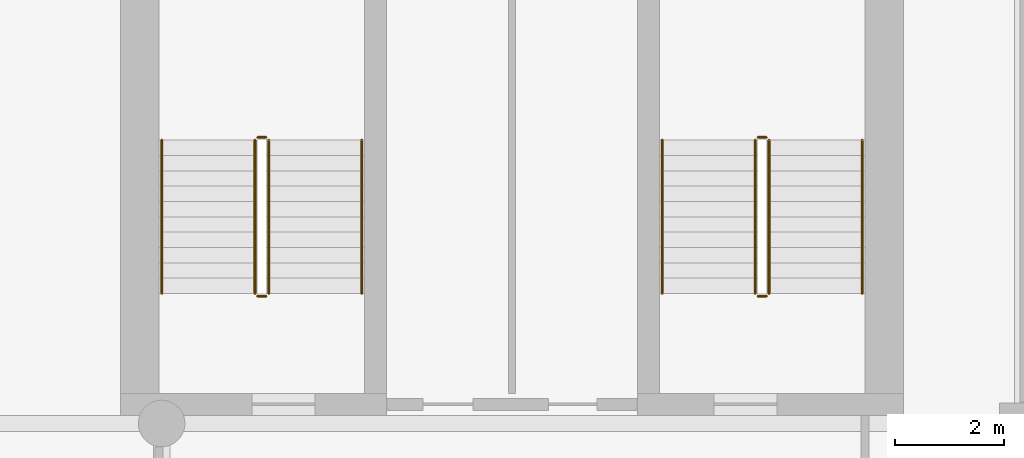
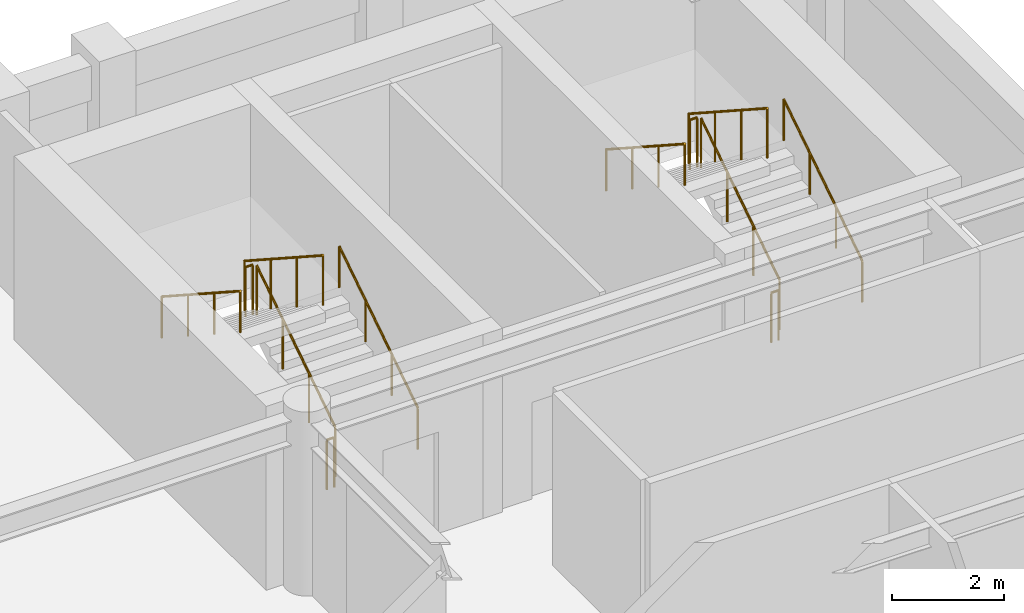
# One storey, part 8 of 8: 12 railings.
"""IFC4 building model written with IfcOpenShell, lengths in metres."""

from ifc_helpers import new_model, si_unit, direction, frame, origin, origin_2d, place, context, subcontext, project, spatial, circle, extrude, material, type_object, element, save


model = new_model("IFC4")

# Units and contexts
model_context = context("Model", 3, precision=1e-05, world=origin(), true_north=direction((0.0, 1.0)))
body_context = subcontext(model_context, "Body", "Model", "MODEL_VIEW")
ifc_project = project(units=[si_unit("LENGTHUNIT", "METRE"), si_unit("AREAUNIT", "SQUARE_METRE"), si_unit("VOLUMEUNIT", "CUBIC_METRE"), si_unit("PLANEANGLEUNIT", "RADIAN"), si_unit("MASSUNIT", "GRAM", prefix="KILO")], contexts=[model_context])

# Site, building, storey
site_placement = place(None, origin())
site = spatial("IfcSite", under=ifc_project, at=site_placement, CompositionType="ELEMENT")
building_placement = place(site_placement, origin())
building = spatial("IfcBuilding", under=site, at=building_placement, Name="Sulina Concourse Tower", CompositionType="ELEMENT")
storey_placement = place(building_placement, frame((0.0, 0.0, 252.60009765625)))
storey = spatial("IfcBuildingStorey", under=building, at=storey_placement, Name="L61", CompositionType="ELEMENT", Elevation=252.60009765625)

# Railings
ifc_material_1 = material(Name="Galvanised steel railing", Category="steel")
railing_type_1 = type_object("IfcRailingType", Name="Core Stair Steel Guardrail 1150mm", PredefinedType="GUARDRAIL", material=ifc_material_1)
railing_1_placement = place(storey_placement, frame((43.554931640625, 36.375, 0.181640625)))
element("IfcRailing", 1, at=railing_1_placement, inside=storey, type_object=railing_type_1, Name="L61 ST-3 stair guard 1", PredefinedType="GUARDRAIL", context=body_context, shape_type="SweptSolid", body=[
    extrude(circle(Radius=0.02392578125, at=origin_2d()), frame((0.0, 0.0, 1.076171875), z_axis=(0.0, 0.838672427954, 0.544636170843), x_axis=(-1.0, 0.0, 0.0)), (0.0, 0.0, 1.0), 3.338623046875),
    extrude(circle(Radius=0.02099609375, at=origin_2d()), origin(), (0.0, 0.0, 1.0), 1.052001953125),
    extrude(circle(Radius=0.02099609375, at=origin_2d()), frame((0.0, 0.933349609375, 0.606201171875)), (0.0, 0.0, 1.0), 1.052001953125),
    extrude(circle(Radius=0.02099609375, at=origin_2d()), frame((0.0, 1.86669921875, 1.212158203125)), (0.0, 0.0, 1.0), 1.052001953125),
    extrude(circle(Radius=0.02099609375, at=origin_2d()), frame((0.0, 2.800048828125, 1.818359375)), (0.0, 0.0, 1.0), 1.052001953125),
])
railing_2_placement = place(storey_placement, frame((43.5048828125, 39.22509765625, 2.0)))
element("IfcRailing", 2, at=railing_2_placement, inside=storey, type_object=railing_type_1, Name="L61 ST-3 stair guard 2", PredefinedType="GUARDRAIL", context=body_context, shape_type="SweptSolid", body=[
    extrude(circle(Radius=0.02392578125, at=origin_2d()), frame((0.0, 0.0, 1.076171875), z_axis=(-1.0, 0.0, 0.0), x_axis=(0.0, -1.0, 0.0)), (0.0, 0.0, 1.0), 0.14990234375),
    extrude(circle(Radius=0.02099609375, at=origin_2d()), origin(), (0.0, 0.0, 1.0), 1.052001953125),
    extrude(circle(Radius=0.02099609375, at=origin_2d()), frame((-0.14990234375, 0.0, 0.0)), (0.0, 0.0, 1.0), 1.052001953125),
])
railing_3_placement = place(storey_placement, frame((43.304931640625, 39.175048828125, 2.181640625)))
element("IfcRailing", 3, at=railing_3_placement, inside=storey, type_object=railing_type_1, Name="L61 ST-3 stair guard 3", PredefinedType="GUARDRAIL", context=body_context, shape_type="SweptSolid", body=[
    extrude(circle(Radius=0.02392578125, at=origin_2d()), frame((0.0, 0.0, 1.076171875), z_axis=(0.0, -0.838672427954, 0.544636170843), x_axis=(1.0, 0.0, 0.0)), (0.0, 0.0, 1.0), 3.338623046875),
    extrude(circle(Radius=0.02099609375, at=origin_2d()), origin(), (0.0, 0.0, 1.0), 1.052001953125),
    extrude(circle(Radius=0.02099609375, at=origin_2d()), frame((0.0, -0.933349609375, 0.606201171875)), (0.0, 0.0, 1.0), 1.052001953125),
    extrude(circle(Radius=0.02099609375, at=origin_2d()), frame((0.0, -1.86669921875, 1.212158203125)), (0.0, 0.0, 1.0), 1.052001953125),
    extrude(circle(Radius=0.02099609375, at=origin_2d()), frame((0.0, -2.800048828125, 1.818359375)), (0.0, 0.0, 1.0), 1.052001953125),
])
railing_4_placement = place(storey_placement, frame((43.5048828125, 36.324951171875, 0.0)))
element("IfcRailing", 4, at=railing_4_placement, inside=storey, type_object=railing_type_1, Name="L61 ST-3 stair guard 4", PredefinedType="GUARDRAIL", context=body_context, shape_type="SweptSolid", body=[
    extrude(circle(Radius=0.02392578125, at=origin_2d()), frame((0.0, 0.0, 1.076171875), z_axis=(-1.0, 0.0, 0.0), x_axis=(0.0, -1.0, 0.0)), (0.0, 0.0, 1.0), 0.14990234375),
    extrude(circle(Radius=0.02099609375, at=origin_2d()), origin(), (0.0, 0.0, 1.0), 1.052001953125),
    extrude(circle(Radius=0.02099609375, at=origin_2d()), frame((-0.14990234375, 0.0, 0.0)), (0.0, 0.0, 1.0), 1.052001953125),
])
railing_5_placement = place(storey_placement, frame((52.695068359375, 36.375, 0.181640625)))
element("IfcRailing", 5, at=railing_5_placement, inside=storey, type_object=railing_type_1, Name="L61 ST-4 stair guard 1", PredefinedType="GUARDRAIL", context=body_context, shape_type="SweptSolid", body=[
    extrude(circle(Radius=0.02392578125, at=origin_2d()), frame((0.0, 0.0, 1.076171875), z_axis=(0.0, 0.838672427954, 0.544636170843), x_axis=(-1.0, 0.0, 0.0)), (0.0, 0.0, 1.0), 3.338623046875),
    extrude(circle(Radius=0.02099609375, at=origin_2d()), origin(), (0.0, 0.0, 1.0), 1.052001953125),
    extrude(circle(Radius=0.02099609375, at=origin_2d()), frame((0.0, 0.933349609375, 0.606201171875)), (0.0, 0.0, 1.0), 1.052001953125),
    extrude(circle(Radius=0.02099609375, at=origin_2d()), frame((0.0, 1.86669921875, 1.212158203125)), (0.0, 0.0, 1.0), 1.052001953125),
    extrude(circle(Radius=0.02099609375, at=origin_2d()), frame((0.0, 2.800048828125, 1.818359375)), (0.0, 0.0, 1.0), 1.052001953125),
])
railing_6_placement = place(storey_placement, frame((52.64501953125, 39.22509765625, 2.0)))
element("IfcRailing", 6, at=railing_6_placement, inside=storey, type_object=railing_type_1, Name="L61 ST-4 stair guard 2", PredefinedType="GUARDRAIL", context=body_context, shape_type="SweptSolid", body=[
    extrude(circle(Radius=0.02392578125, at=origin_2d()), frame((0.0, 0.0, 1.076171875), z_axis=(-1.0, 0.0, 0.0), x_axis=(0.0, -1.0, 0.0)), (0.0, 0.0, 1.0), 0.14990234375),
    extrude(circle(Radius=0.02099609375, at=origin_2d()), origin(), (0.0, 0.0, 1.0), 1.052001953125),
    extrude(circle(Radius=0.02099609375, at=origin_2d()), frame((-0.14990234375, 0.0, 0.0)), (0.0, 0.0, 1.0), 1.052001953125),
])
railing_7_placement = place(storey_placement, frame((52.445068359375, 39.175048828125, 2.181640625)))
element("IfcRailing", 7, at=railing_7_placement, inside=storey, type_object=railing_type_1, Name="L61 ST-4 stair guard 3", PredefinedType="GUARDRAIL", context=body_context, shape_type="SweptSolid", body=[
    extrude(circle(Radius=0.02392578125, at=origin_2d()), frame((0.0, 0.0, 1.076171875), z_axis=(0.0, -0.838672427954, 0.544636170843), x_axis=(1.0, 0.0, 0.0)), (0.0, 0.0, 1.0), 3.338623046875),
    extrude(circle(Radius=0.02099609375, at=origin_2d()), origin(), (0.0, 0.0, 1.0), 1.052001953125),
    extrude(circle(Radius=0.02099609375, at=origin_2d()), frame((0.0, -0.933349609375, 0.606201171875)), (0.0, 0.0, 1.0), 1.052001953125),
    extrude(circle(Radius=0.02099609375, at=origin_2d()), frame((0.0, -1.86669921875, 1.212158203125)), (0.0, 0.0, 1.0), 1.052001953125),
    extrude(circle(Radius=0.02099609375, at=origin_2d()), frame((0.0, -2.800048828125, 1.818359375)), (0.0, 0.0, 1.0), 1.052001953125),
])
railing_8_placement = place(storey_placement, frame((52.64501953125, 36.324951171875, 0.0)))
element("IfcRailing", 8, at=railing_8_placement, inside=storey, type_object=railing_type_1, Name="L61 ST-4 stair guard 4", PredefinedType="GUARDRAIL", context=body_context, shape_type="SweptSolid", body=[
    extrude(circle(Radius=0.02392578125, at=origin_2d()), frame((0.0, 0.0, 1.076171875), z_axis=(-1.0, 0.0, 0.0), x_axis=(0.0, -1.0, 0.0)), (0.0, 0.0, 1.0), 0.14990234375),
    extrude(circle(Radius=0.02099609375, at=origin_2d()), origin(), (0.0, 0.0, 1.0), 1.052001953125),
    extrude(circle(Radius=0.02099609375, at=origin_2d()), frame((-0.14990234375, 0.0, 0.0)), (0.0, 0.0, 1.0), 1.052001953125),
])
ifc_material_2 = material(Name="Galvanised steel railing", Category="steel")
railing_type_2 = type_object("IfcRailingType", Name="Stair Wall Steel Handrail 920mm", PredefinedType="HANDRAIL", material=ifc_material_2)
railing_9_placement = place(storey_placement, frame((45.2548828125, 36.375, 0.181640625)))
element("IfcRailing", 9, at=railing_9_placement, inside=storey, type_object=railing_type_2, Name="L61 ST-3 stair handrail 1", PredefinedType="HANDRAIL", context=body_context, shape_type="SweptSolid", body=[
    extrude(circle(Radius=0.02392578125, at=origin_2d()), frame((0.0, 0.0, 0.89599609375), z_axis=(0.0, 0.838672427954, 0.544636170843), x_axis=(-1.0, 0.0, 0.0)), (0.0, 0.0, 1.0), 3.338623046875),
    extrude(circle(Radius=0.02099609375, at=origin_2d()), origin(), (0.0, 0.0, 1.0), 0.871826171875),
    extrude(circle(Radius=0.02099609375, at=origin_2d()), frame((0.0, 0.933349609375, 0.606201171875)), (0.0, 0.0, 1.0), 0.871826171875),
    extrude(circle(Radius=0.02099609375, at=origin_2d()), frame((0.0, 1.86669921875, 1.212158203125)), (0.0, 0.0, 1.0), 0.871826171875),
    extrude(circle(Radius=0.02099609375, at=origin_2d()), frame((0.0, 2.800048828125, 1.818359375)), (0.0, 0.0, 1.0), 0.871826171875),
])
railing_10_placement = place(storey_placement, frame((41.60498046875, 39.175048828125, 2.181640625)))
element("IfcRailing", 10, at=railing_10_placement, inside=storey, type_object=railing_type_2, Name="L61 ST-3 stair handrail 2", PredefinedType="HANDRAIL", context=body_context, shape_type="SweptSolid", body=[
    extrude(circle(Radius=0.02392578125, at=origin_2d()), frame((0.0, 0.0, 0.89599609375), z_axis=(0.0, -0.838672427954, 0.544636170843), x_axis=(1.0, 0.0, 0.0)), (0.0, 0.0, 1.0), 3.338623046875),
    extrude(circle(Radius=0.02099609375, at=origin_2d()), origin(), (0.0, 0.0, 1.0), 0.871826171875),
    extrude(circle(Radius=0.02099609375, at=origin_2d()), frame((0.0, -0.933349609375, 0.606201171875)), (0.0, 0.0, 1.0), 0.871826171875),
    extrude(circle(Radius=0.02099609375, at=origin_2d()), frame((0.0, -1.86669921875, 1.212158203125)), (0.0, 0.0, 1.0), 0.871826171875),
    extrude(circle(Radius=0.02099609375, at=origin_2d()), frame((0.0, -2.800048828125, 1.818359375)), (0.0, 0.0, 1.0), 0.871826171875),
])
railing_11_placement = place(storey_placement, frame((54.39501953125, 36.375, 0.181640625)))
element("IfcRailing", 11, at=railing_11_placement, inside=storey, type_object=railing_type_2, Name="L61 ST-4 stair handrail 1", PredefinedType="HANDRAIL", context=body_context, shape_type="SweptSolid", body=[
    extrude(circle(Radius=0.02392578125, at=origin_2d()), frame((0.0, 0.0, 0.89599609375), z_axis=(0.0, 0.838672427954, 0.544636170843), x_axis=(-1.0, 0.0, 0.0)), (0.0, 0.0, 1.0), 3.338623046875),
    extrude(circle(Radius=0.02099609375, at=origin_2d()), origin(), (0.0, 0.0, 1.0), 0.871826171875),
    extrude(circle(Radius=0.02099609375, at=origin_2d()), frame((0.0, 0.933349609375, 0.606201171875)), (0.0, 0.0, 1.0), 0.871826171875),
    extrude(circle(Radius=0.02099609375, at=origin_2d()), frame((0.0, 1.86669921875, 1.212158203125)), (0.0, 0.0, 1.0), 0.871826171875),
    extrude(circle(Radius=0.02099609375, at=origin_2d()), frame((0.0, 2.800048828125, 1.818359375)), (0.0, 0.0, 1.0), 0.871826171875),
])
railing_12_placement = place(storey_placement, frame((50.7451171875, 39.175048828125, 2.181640625)))
element("IfcRailing", 12, at=railing_12_placement, inside=storey, type_object=railing_type_2, Name="L61 ST-4 stair handrail 2", PredefinedType="HANDRAIL", context=body_context, shape_type="SweptSolid", body=[
    extrude(circle(Radius=0.02392578125, at=origin_2d()), frame((0.0, 0.0, 0.89599609375), z_axis=(0.0, -0.838672427954, 0.544636170843), x_axis=(1.0, 0.0, 0.0)), (0.0, 0.0, 1.0), 3.338623046875),
    extrude(circle(Radius=0.02099609375, at=origin_2d()), origin(), (0.0, 0.0, 1.0), 0.871826171875),
    extrude(circle(Radius=0.02099609375, at=origin_2d()), frame((0.0, -0.933349609375, 0.606201171875)), (0.0, 0.0, 1.0), 0.871826171875),
    extrude(circle(Radius=0.02099609375, at=origin_2d()), frame((0.0, -1.86669921875, 1.212158203125)), (0.0, 0.0, 1.0), 0.871826171875),
    extrude(circle(Radius=0.02099609375, at=origin_2d()), frame((0.0, -2.800048828125, 1.818359375)), (0.0, 0.0, 1.0), 0.871826171875),
])

save(model, "model.ifc")
